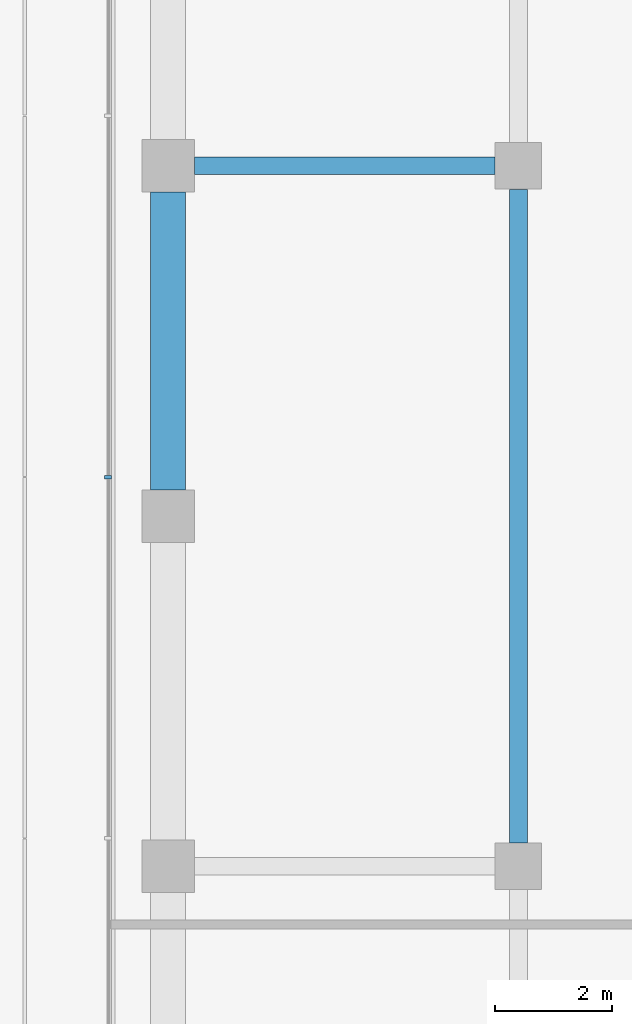
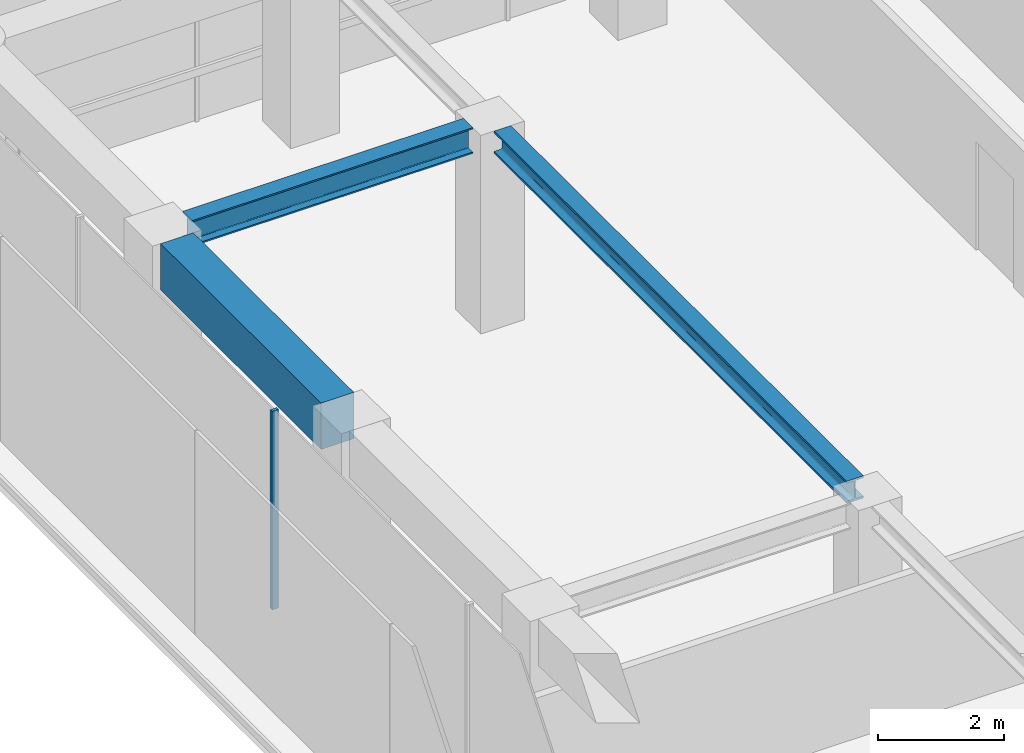
# One storey, part 14 of 24: 3 beams, 1 member, 1 element without a shape of its own.
"""IFC4 building model written with IfcOpenShell, lengths in metres."""

import ifcopenshell
import ifcopenshell.guid

model = None  # the IFC model being written
_history = None  # IfcOwnerHistory: only IFC2X3 demands one
_inside = {}  # id of a spatial element -> (the spatial element, [elements in it])
_under = {}  # id of a project, library or spatial element -> (it, [spatial elements below it])
_declared = {}  # id of a project -> (the project, [libraries it declares])
_typed = {}  # id of a type object -> (the type object, [elements of that type])
_made_of = {}  # id of a material, layer set ... -> (it, [elements and type objects made of it])


def new_model(schema):
    """Start an empty IFC model of exactly this schema.

    Asked for "IFC4X3", IfcOpenShell would pick the latest addendum, in which some entities
    have other attributes; the version numbers below select the first issue.
    IFC2X3 requires an IfcOwnerHistory on every rooted entity: one is made here for all.
    """
    global model, _history
    if schema == "IFC4X3":
        model = ifcopenshell.file(schema_version=(4, 3, 0, 0))
    else:
        model = ifcopenshell.file(schema=schema)
    _inside.clear()
    _under.clear()
    _declared.clear()
    _typed.clear()
    _made_of.clear()
    _history = None
    if model.schema == "IFC2X3":
        org = make("IfcOrganization", Name="unknown")
        user = make(
            "IfcPersonAndOrganization",
            ThePerson=make("IfcPerson", FamilyName="unknown"),
            TheOrganization=org,
        )
        app = make(
            "IfcApplication",
            ApplicationDeveloper=org,
            Version="unknown",
            ApplicationFullName="unknown",
            ApplicationIdentifier="unknown",
        )
        _history = make(
            "IfcOwnerHistory",
            OwningUser=user,
            OwningApplication=app,
            ChangeAction="ADDED",
            CreationDate=0,
        )
    return model


def make(cls, **values):
    """One entity of the class cls with the attributes given. An attribute that is None is left unset."""
    return model.create_entity(
        cls, **{name: value for name, value in values.items() if value is not None}
    )


def rooted(cls, **values):
    """An entity with a GlobalId (a new one), such as an element, a storey or a relation."""
    return make(cls, GlobalId=ifcopenshell.guid.new(), OwnerHistory=_history, **values)


def si_unit(unit_type, name, prefix=None):
    """IfcSIUnit, for example si_unit("LENGTHUNIT", "METRE", prefix="MILLI")."""
    return make("IfcSIUnit", UnitType=unit_type, Prefix=prefix, Name=name)


def assignment(units):
    """IfcUnitAssignment: the units of a project."""
    return None if units is None else make("IfcUnitAssignment", Units=units)


def point(xyz):
    """IfcCartesianPoint."""
    return None if xyz is None else make("IfcCartesianPoint", Coordinates=xyz)


def direction(xyz):
    """IfcDirection."""
    return None if xyz is None else make("IfcDirection", DirectionRatios=xyz)


def frame(location, z_axis=None, x_axis=None):
    """IfcAxis2Placement3D, a coordinate frame: its origin and axes. An axis left out is left unset."""
    return make(
        "IfcAxis2Placement3D",
        Location=point(location),
        Axis=direction(z_axis),
        RefDirection=direction(x_axis),
    )


def frame_2d(location, x_axis=None):
    """IfcAxis2Placement2D, a coordinate frame in the plane: its origin and x axis."""
    return make(
        "IfcAxis2Placement2D", Location=point(location), RefDirection=direction(x_axis)
    )


def origin():
    """The frame at (0, 0, 0) with its axes left unset."""
    return frame((0.0, 0.0, 0.0))


def origin_2d():
    """The frame at (0, 0) in the plane with its x axis left unset."""
    return frame_2d((0.0, 0.0))


def place(relative_to, where):
    """IfcLocalPlacement: puts the frame where relative to a parent placement (None: the world)."""
    return make(
        "IfcLocalPlacement", PlacementRelTo=relative_to, RelativePlacement=where
    )


def context(
    kind, dimensions, precision=None, world=None, true_north=None, identifier=None
):
    """IfcGeometricRepresentationContext, for example the 3D "Model" context."""
    return make(
        "IfcGeometricRepresentationContext",
        ContextIdentifier=identifier,
        ContextType=kind,
        CoordinateSpaceDimension=dimensions,
        Precision=precision,
        WorldCoordinateSystem=world,
        TrueNorth=true_north,
    )


def subcontext(parent, identifier, kind, view, scale=None):
    """IfcGeometricRepresentationSubContext, for example "Body" below "Model"."""
    return make(
        "IfcGeometricRepresentationSubContext",
        ContextIdentifier=identifier,
        ContextType=kind,
        ParentContext=parent,
        TargetScale=scale,
        TargetView=view,
    )


def project(units=None, contexts=None):
    """IfcProject with its units and contexts."""
    return rooted(
        "IfcProject",
        Name="project",
        RepresentationContexts=contexts,
        UnitsInContext=assignment(units),
    )


def spatial(cls, under=None, at=None, **own):
    """A site, building, storey or space (cls), placed at a placement, below another one or the project."""
    s = rooted(cls, ObjectPlacement=at, **own)
    if under is not None:
        _under.setdefault(under.id(), (under, []))[1].append(s)
    return s


def profile(cls, at=None, kind="AREA", **sizes):
    """A parametric profile (cls). Its sizes go by their IFC names, for example OverallWidth=200.0."""
    return make(cls, ProfileType=kind, Position=at, **sizes)


def rectangle(**sizes):
    """IfcRectangleProfileDef."""
    return profile("IfcRectangleProfileDef", **sizes)


def i_section(**sizes):
    """IfcIShapeProfileDef."""
    return profile("IfcIShapeProfileDef", **sizes)


def extrude(swept, where, along, depth):
    """IfcExtrudedAreaSolid: the profile swept, set in the frame where, extruded along a direction by depth."""
    return make(
        "IfcExtrudedAreaSolid",
        SweptArea=swept,
        Position=where,
        ExtrudedDirection=direction(along),
        Depth=depth,
    )


def shape(context_of_items, identifier, shape_type, items):
    """IfcShapeRepresentation: the items that make up one representation, for example the "Body"."""
    return make(
        "IfcShapeRepresentation",
        ContextOfItems=context_of_items,
        RepresentationIdentifier=identifier,
        RepresentationType=shape_type,
        Items=items,
    )


def material(Name=None, Category=None):
    """IfcMaterial."""
    return make("IfcMaterial", Name=Name, Category=Category)


def layer(
    of_material, thickness, ventilated=None, Name=None, Category=None, Priority=None
):
    """IfcMaterialLayer: one layer of a wall or slab, of a material (None: an air gap)."""
    return make(
        "IfcMaterialLayer",
        Material=of_material,
        LayerThickness=thickness,
        IsVentilated=ventilated,
        Name=Name,
        Category=Category,
        Priority=Priority,
    )


def layer_set(layers, Name=None):
    """IfcMaterialLayerSet."""
    return make("IfcMaterialLayerSet", MaterialLayers=layers, LayerSetName=Name)


def material_profile(
    of_material, cross_section, Name=None, Category=None, Priority=None
):
    """IfcMaterialProfile: a cross section and its material."""
    return make(
        "IfcMaterialProfile",
        Name=Name,
        Material=of_material,
        Profile=cross_section,
        Priority=Priority,
        Category=Category,
    )


def profile_set(profiles, Name=None, composite=None):
    """IfcMaterialProfileSet."""
    return make(
        "IfcMaterialProfileSet",
        Name=Name,
        MaterialProfiles=profiles,
        CompositeProfile=composite,
    )


def made_of(thing, what):
    """Note that an element or type object is made of a material, layer set ...; save() writes the relation."""
    if what is not None:
        _made_of.setdefault(what.id(), (what, []))[1].append(thing)
    return thing


def type_object(cls, material=None, **own):
    """A type object (cls), such as IfcWallType, which elements share."""
    return made_of(rooted(cls, **own), material)


def element(
    cls,
    number,
    at=None,
    inside=None,
    cuts=None,
    type_object=None,
    material=None,
    context=None,
    identifier="Body",
    shape_type=None,
    held_by="IfcProductDefinitionShape",
    body=None,
    shapes=None,
    **own,
):
    """One element of the class cls, such as IfcWall. Its Tag is "e" and its number.

    at: its placement. inside: the storey or other place that contains it. cuts: it is an
    opening in that element (IfcRelVoidsElement). A single representation is given by context,
    identifier, shape_type and body (its items); several are given by shapes. held_by: the class
    of the entity that holds the representations. save() writes the other relations.
    """
    e = rooted(cls, Tag="e%d" % number, ObjectPlacement=at, **own)
    if body is not None:
        shapes = [shape(context, identifier, shape_type, body)]
    if shapes is not None:
        e.Representation = make(held_by, Representations=shapes)
    if inside is not None:
        _inside.setdefault(inside.id(), (inside, []))[1].append(e)
    if cuts is not None:
        rooted(
            "IfcRelVoidsElement", RelatingBuildingElement=cuts, RelatedOpeningElement=e
        )
    if type_object is not None:
        _typed.setdefault(type_object.id(), (type_object, []))[1].append(e)
    return made_of(e, material)


def aggregate(whole, parts):
    """IfcRelAggregates: a whole, such as a stair, and the parts it consists of."""
    return rooted("IfcRelAggregates", RelatingObject=whole, RelatedObjects=parts)


def save(model, path):
    """Write the relations noted so far, then the file.

    IfcRelAggregates (storeys below a building ...), IfcRelContainedInSpatialStructure (elements
    in a storey), IfcRelDefinesByType, IfcRelAssociatesMaterial and IfcRelDeclares: one each for
    every whole, place, type object, material and project.
    """
    for whole, parts in _under.values():
        aggregate(whole, parts)
    for where, things in _inside.values():
        rooted(
            "IfcRelContainedInSpatialStructure",
            RelatedElements=things,
            RelatingStructure=where,
        )
    for kind, things in _typed.values():
        rooted("IfcRelDefinesByType", RelatedObjects=things, RelatingType=kind)
    for what, things in _made_of.values():
        rooted("IfcRelAssociatesMaterial", RelatedObjects=things, RelatingMaterial=what)
    for by, libraries in _declared.values():
        rooted("IfcRelDeclares", RelatingContext=by, RelatedDefinitions=libraries)
    model.write(path)


model = new_model("IFC4")

# Units and contexts
model_context = context("Model", 3, precision=1e-05, world=origin(), true_north=direction((0.0, 1.0)))
body_context = subcontext(model_context, "Body", "Model", "MODEL_VIEW")
ifc_project = project(units=[si_unit("LENGTHUNIT", "METRE"), si_unit("AREAUNIT", "SQUARE_METRE"), si_unit("VOLUMEUNIT", "CUBIC_METRE"), si_unit("PLANEANGLEUNIT", "RADIAN"), si_unit("MASSUNIT", "GRAM", prefix="KILO")], contexts=[model_context])

# Site, building, storey
site_placement = place(None, origin())
site = spatial("IfcSite", under=ifc_project, at=site_placement, CompositionType="ELEMENT")
building_placement = place(site_placement, origin())
building = spatial("IfcBuilding", under=site, at=building_placement, Name="Welwitschia Terrace Campus", CompositionType="ELEMENT")
storey_placement = place(building_placement, frame((0.0, 0.0, 125.60009765625)))
storey = spatial("IfcBuildingStorey", under=building, at=storey_placement, Name="L28", CompositionType="ELEMENT", Elevation=125.60009765625)

# Beam
ifc_material_1 = material(Name="Steel S355", Category="steel")
ifc_material_profile_1 = material_profile(ifc_material_1, i_section(OverallWidth=0.306884765625, OverallDepth=0.431884765625, WebThickness=0.02099609375, FlangeThickness=0.0400390625, FilletRadius=0.027099609375, at=origin_2d()))
ifc_profile_set_1 = profile_set([ifc_material_profile_1], Name="Steel S355")
beam_type_1 = type_object("IfcBeamType", Name="Interior girder HE 400 M", PredefinedType="BEAM", material=ifc_profile_set_1)
beam_1_placement = place(storey_placement, frame((6.0, 52.400390625, 3.6337890625), z_axis=(0.0, 1.0, 0.0), x_axis=(-1.0, 0.0, 0.0)))
element("IfcBeam", 1, at=beam_1_placement, inside=storey, type_object=beam_type_1, Name="Girder GB3", PredefinedType="BEAM", context=body_context, shape_type="SweptSolid", body=[
    extrude(i_section(OverallWidth=0.306884765625, OverallDepth=0.431884765625, WebThickness=0.02099609375, FlangeThickness=0.0400390625, FilletRadius=0.027099609375, at=origin_2d()), origin(), (0.0, 0.0, 1.0), 11.19921875),
])

# Curtain wall, member
ifc_material_2 = material(Name="Bronze anodised aluminium", Category="aluminium")
ifc_layer = layer(ifc_material_2, 0.1201171875)
ifc_layer_set = layer_set([ifc_layer], Name="Bronze anodised aluminium")
curtain_wall_type = type_object("IfcCurtainWallType", Name="Curtain wall CW2 tower 6000", PredefinedType="NOTDEFINED", material=ifc_layer_set)
curtain_wall_placement = place(storey_placement, origin())
curtain_wall = element("IfcCurtainWall", 2, at=curtain_wall_placement, inside=storey, type_object=curtain_wall_type, Name="CW L28.12.0", PredefinedType="NOTDEFINED")
ifc_material_3 = material(Name="Bronze anodised aluminium", Category="aluminium")
ifc_material_profile_2 = material_profile(ifc_material_3, rectangle(XDim=0.1201171875, YDim=0.06005859375, at=origin_2d()))
ifc_profile_set_2 = profile_set([ifc_material_profile_2], Name="Bronze anodised aluminium")
member_type = type_object("IfcMemberType", Name="Mullion 60x120", PredefinedType="MULLION", material=ifc_profile_set_2)
member_placement = place(storey_placement, frame((-1.030029296875, 58.667236328125, 0.0), z_axis=(0.0, 0.0, 1.0), x_axis=(1.0, 0.0, 0.0)))
member = element("IfcMember", 3, at=member_placement, type_object=member_type, Name="Mullion L28.12.0.2", PredefinedType="MULLION", context=body_context, shape_type="SweptSolid", body=[
    extrude(rectangle(XDim=0.1201171875, YDim=0.06005859375, at=origin_2d()), origin(), (0.0, 0.0, 1.0), 3.849853515625),
])
aggregate(curtain_wall, [member])

# Beams
ifc_material_4 = material(Name="Steel S355", Category="steel")
ifc_material_profile_3 = material_profile(ifc_material_4, i_section(OverallWidth=0.300048828125, OverallDepth=0.5, WebThickness=0.014404296875, FlangeThickness=0.028076171875, FilletRadius=0.027099609375, at=origin_2d()))
ifc_profile_set_3 = profile_set([ifc_material_profile_3], Name="Steel S355")
beam_type_2 = type_object("IfcBeamType", Name="Primary beam HE 500 B", PredefinedType="BEAM", material=ifc_profile_set_3)
beam_2_placement = place(storey_placement, frame((0.450439453125, 64.0, 3.599853515625), z_axis=(1.0, 0.0, 0.0), x_axis=(0.0, 1.0, 0.0)))
element("IfcBeam", 4, at=beam_2_placement, inside=storey, type_object=beam_type_2, Name="Primary beam PB3", PredefinedType="BEAM", context=body_context, shape_type="SweptSolid", body=[
    extrude(i_section(OverallWidth=0.300048828125, OverallDepth=0.5, WebThickness=0.014404296875, FlangeThickness=0.028076171875, FilletRadius=0.027099609375, at=origin_2d()), origin(), (0.0, 0.0, 1.0), 5.149169921875),
])
ifc_material_5 = material(Name="Concrete C60/75", Category="concrete")
ifc_material_profile_4 = material_profile(ifc_material_5, rectangle(XDim=0.60009765625, YDim=0.89990234375, at=origin_2d()))
ifc_profile_set_4 = profile_set([ifc_material_profile_4], Name="Concrete C60/75")
beam_type_3 = type_object("IfcBeamType", Name="Ring spandrel 600x900", PredefinedType="SPANDREL", material=ifc_profile_set_4)
beam_3_placement = place(storey_placement, frame((0.0, 63.549560546875, 3.39990234375), z_axis=(0.0, -1.0, 0.0), x_axis=(1.0, 0.0, 0.0)))
element("IfcBeam", 5, at=beam_3_placement, inside=storey, type_object=beam_type_3, Name="Spandrel SP2", PredefinedType="SPANDREL", context=body_context, shape_type="SweptSolid", body=[
    extrude(rectangle(XDim=0.60009765625, YDim=0.89990234375, at=origin_2d()), origin(), (0.0, 0.0, 1.0), 5.09912109375),
])

save(model, "model.ifc")
